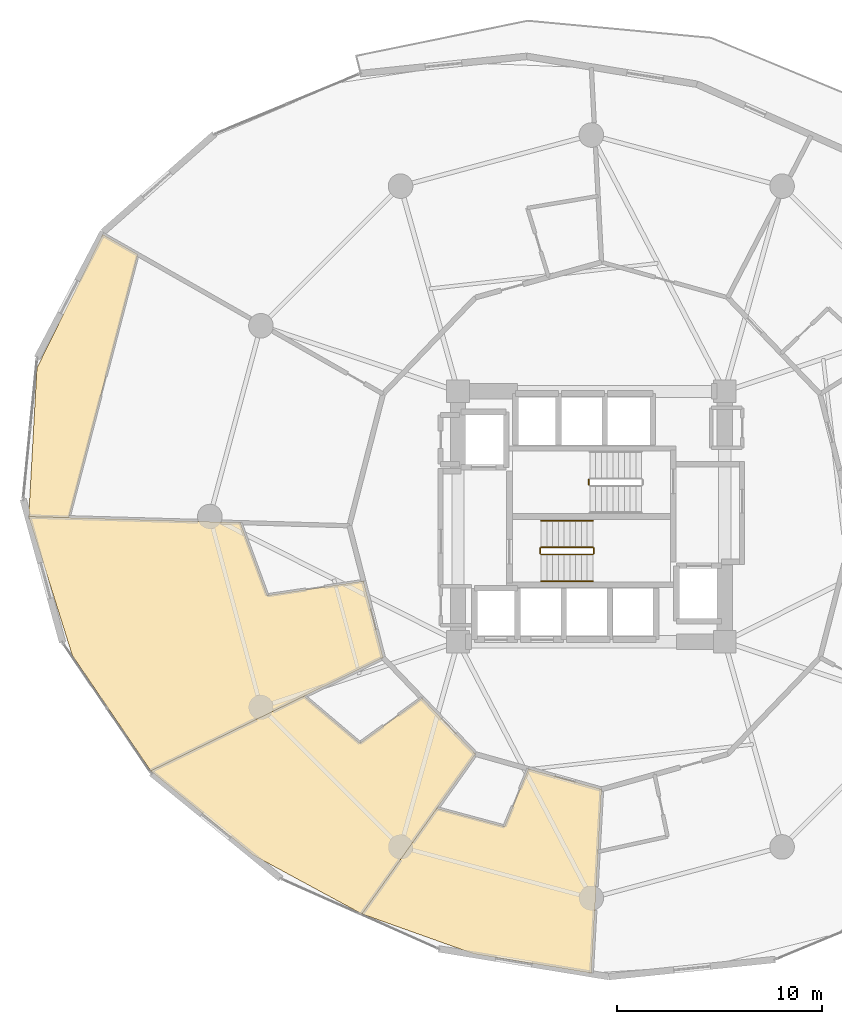
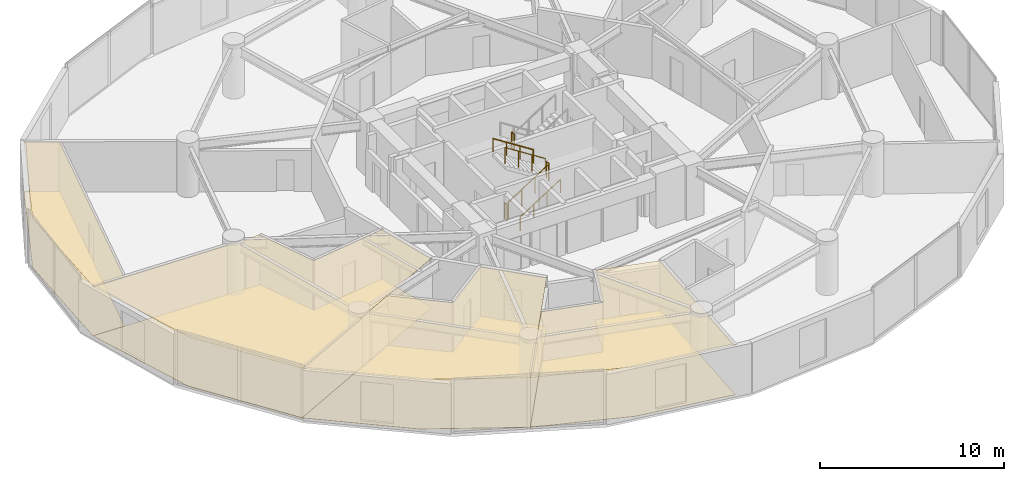
# One storey, part 24 of 26: 8 coverings, 7 railings.
"""IFC4 building model written with IfcOpenShell, lengths in metres."""

from ifc_helpers import new_model, si_unit, direction, frame, origin, origin_2d, place, context, subcontext, project, spatial, polyline, circle, outline, extrude, material, layer, layer_set, type_object, element, save


model = new_model("IFC4")

# Units and contexts
model_context = context("Model", 3, precision=1e-05, world=origin(), true_north=direction((0.0, 1.0)))
body_context = subcontext(model_context, "Body", "Model", "MODEL_VIEW")
ifc_project = project(units=[si_unit("LENGTHUNIT", "METRE"), si_unit("AREAUNIT", "SQUARE_METRE"), si_unit("VOLUMEUNIT", "CUBIC_METRE"), si_unit("PLANEANGLEUNIT", "RADIAN"), si_unit("MASSUNIT", "GRAM", prefix="KILO")], contexts=[model_context])

# Site, building, storey
site_placement = place(None, origin())
site = spatial("IfcSite", under=ifc_project, at=site_placement, CompositionType="ELEMENT")
building_placement = place(site_placement, origin())
building = spatial("IfcBuilding", under=site, at=building_placement, Name="Solvirekh Grand Hotel", CompositionType="ELEMENT")
storey_placement = place(building_placement, frame((0.0, 0.0, 64.39990234375)))
storey = spatial("IfcBuildingStorey", under=building, at=storey_placement, Name="L15", CompositionType="ELEMENT", Elevation=64.39990234375)

# Coverings
ifc_material_1 = material(Name="Acoustic Mineral Ceiling Tile")
ifc_layer_1 = layer(ifc_material_1, 0.02490234375)
ifc_layer_set_1 = layer_set([ifc_layer_1], Name="Acoustic Mineral Ceiling Tile")
covering_type_1 = type_object("IfcCoveringType", Name="Cov_Ceiling_Acoustic", PredefinedType="CEILING", material=ifc_layer_set_1)
covering_1_placement = place(storey_placement, frame((0.0, 0.0, 3.2900390625)))
element("IfcCovering", 1, at=covering_1_placement, inside=storey, type_object=covering_type_1, Name="L15 Diplomatic Suite 1701 Master Bedroom acoustic ceiling", PredefinedType="CEILING", context=body_context, shape_type="SweptSolid", body=[
    extrude(outline(polyline([(-23.821044921875, 13.7529296875), (-27.028076171875, 7.241943359375), (-27.428955078125, 0.0), (-25.47509765625, -0.055908203125), (-22.112060546875, 12.781005859375), (-23.821044921875, 13.7529296875)])), origin(), (0.0, 0.0, 1.0), 0.01806640625),
])
covering_2_placement = place(storey_placement, frame((0.0, 0.0, 3.2900390625)))
element("IfcCovering", 2, at=covering_2_placement, inside=storey, type_object=covering_type_1, Name="L15 Deluxe Guestroom 1702 acoustic ceiling", PredefinedType="CEILING", context=body_context, shape_type="SweptSolid", body=[
    extrude(outline(polyline([(-15.806884765625, -3.847900390625), (-17.114013671875, -0.297119140625), (-27.428955078125, 0.0), (-25.299072265625, -6.779052734375), (-21.47705078125, -12.39990234375), (-10.152099609375, -6.875), (-11.10791015625, -3.14794921875), (-15.806884765625, -3.847900390625)])), origin(), (0.0, 0.0, 1.0), 0.01806640625),
])
covering_3_placement = place(storey_placement, frame((0.0, 0.0, 3.2900390625)))
element("IfcCovering", 3, at=covering_3_placement, inside=storey, type_object=covering_type_1, Name="L15 Deluxe Guestroom 1703 acoustic ceiling", PredefinedType="CEILING", context=body_context, shape_type="SweptSolid", body=[
    extrude(outline(polyline([(-11.284912109375, -11.052978515625), (-14.001953125, -8.75390625), (-21.47705078125, -12.39990234375), (-16.4970703125, -16.4970703125), (-11.18505859375, -19.373046875), (-5.64990234375, -11.577880859375), (-8.260986328125, -8.85009765625), (-11.284912109375, -11.052978515625)])), origin(), (0.0, 0.0, 1.0), 0.01806640625),
])
covering_4_placement = place(storey_placement, frame((0.0, 0.0, 3.2900390625)))
element("IfcCovering", 4, at=covering_4_placement, inside=storey, type_object=covering_type_1, Name="L15 Deluxe Guestroom 1704 acoustic ceiling", PredefinedType="CEILING", context=body_context, shape_type="SweptSolid", body=[
    extrude(outline(polyline([(-4.22998046875, -15.116943359375), (-7.531982421875, -14.22802734375), (-11.18505859375, -19.373046875), (-5.712890625, -21.322998046875), (0.0, -22.257080078125), (0.5, -13.300048828125), (-3.06689453125, -12.301025390625), (-4.22998046875, -15.116943359375)])), origin(), (0.0, 0.0, 1.0), 0.01806640625),
])
ifc_material_2 = material(Name="Porcelain Stoneware Flooring", Category="masonry")
ifc_layer_2 = layer(ifc_material_2, 0.030029296875)
ifc_layer_set_2 = layer_set([ifc_layer_2], Name="Porcelain Stoneware Flooring")
covering_type_2 = type_object("IfcCoveringType", Name="Cov_Floor_Stone", PredefinedType="FLOORING", material=ifc_layer_set_2)
covering_5_placement = place(storey_placement, origin())
element("IfcCovering", 5, at=covering_5_placement, inside=storey, type_object=covering_type_2, Name="L15 Diplomatic Suite 1701 Master Bedroom polished granite flooring", PredefinedType="FLOORING", context=body_context, shape_type="SweptSolid", body=[
    extrude(outline(polyline([(-23.821044921875, 13.7529296875), (-27.028076171875, 7.241943359375), (-27.428955078125, 0.0), (-25.47509765625, -0.055908203125), (-22.112060546875, 12.781005859375), (-23.821044921875, 13.7529296875)])), origin(), (0.0, 0.0, 1.0), 0.02001953125),
])
covering_6_placement = place(storey_placement, origin())
element("IfcCovering", 6, at=covering_6_placement, inside=storey, type_object=covering_type_2, Name="L15 Deluxe Guestroom 1702 polished granite flooring", PredefinedType="FLOORING", context=body_context, shape_type="SweptSolid", body=[
    extrude(outline(polyline([(-15.806884765625, -3.847900390625), (-17.114013671875, -0.297119140625), (-27.428955078125, 0.0), (-25.299072265625, -6.779052734375), (-21.47705078125, -12.39990234375), (-10.152099609375, -6.875), (-11.10791015625, -3.14794921875), (-15.806884765625, -3.847900390625)])), origin(), (0.0, 0.0, 1.0), 0.02001953125),
])
covering_7_placement = place(storey_placement, origin())
element("IfcCovering", 7, at=covering_7_placement, inside=storey, type_object=covering_type_2, Name="L15 Deluxe Guestroom 1703 polished granite flooring", PredefinedType="FLOORING", context=body_context, shape_type="SweptSolid", body=[
    extrude(outline(polyline([(-11.284912109375, -11.052978515625), (-14.001953125, -8.75390625), (-21.47705078125, -12.39990234375), (-16.4970703125, -16.4970703125), (-11.18505859375, -19.373046875), (-5.64990234375, -11.577880859375), (-8.260986328125, -8.85009765625), (-11.284912109375, -11.052978515625)])), origin(), (0.0, 0.0, 1.0), 0.02001953125),
])
covering_8_placement = place(storey_placement, origin())
element("IfcCovering", 8, at=covering_8_placement, inside=storey, type_object=covering_type_2, Name="L15 Deluxe Guestroom 1704 polished granite flooring", PredefinedType="FLOORING", context=body_context, shape_type="SweptSolid", body=[
    extrude(outline(polyline([(-4.22998046875, -15.116943359375), (-7.531982421875, -14.22802734375), (-11.18505859375, -19.373046875), (-5.712890625, -21.322998046875), (0.0, -22.257080078125), (0.5, -13.300048828125), (-3.06689453125, -12.301025390625), (-4.22998046875, -15.116943359375)])), origin(), (0.0, 0.0, 1.0), 0.02001953125),
])

# Railings
ifc_material_3 = material(Name="Steel S355", Category="steel")
railing_type_1 = type_object("IfcRailingType", Name="Guard_Stair_1100", PredefinedType="GUARDRAIL", material=ifc_material_3)
railing_1_placement = place(storey_placement, frame((-2.449951171875, -1.85009765625, 0.18017578125)))
element("IfcRailing", 9, at=railing_1_placement, inside=storey, type_object=railing_type_1, Name="L15 ST-1 stair guard 1", PredefinedType="GUARDRAIL", context=body_context, shape_type="SweptSolid", body=[
    extrude(circle(Radius=0.02392578125, at=origin_2d()), frame((0.0, 0.0, 1.076171875), z_axis=(0.841199657755, 0.0, 0.540724639528), x_axis=(0.0, 1.0, 0.0)), (0.0, 0.0, 1.0), 2.995849609375),
    extrude(circle(Radius=0.02099609375, at=origin_2d()), origin(), (0.0, 0.0, 1.0), 1.052001953125),
    extrude(circle(Radius=0.02099609375, at=origin_2d()), frame((0.840087890625, 0.0, 0.5400390625)), (0.0, 0.0, 1.0), 1.052001953125),
    extrude(circle(Radius=0.02099609375, at=origin_2d()), frame((1.679931640625, 0.0, 1.079833984375)), (0.0, 0.0, 1.0), 1.052001953125),
    extrude(circle(Radius=0.02099609375, at=origin_2d()), frame((2.52001953125, 0.0, 1.619873046875)), (0.0, 0.0, 1.0), 1.052001953125),
])
railing_2_placement = place(storey_placement, frame((0.1201171875, -1.800048828125, 1.800048828125)))
element("IfcRailing", 10, at=railing_2_placement, inside=storey, type_object=railing_type_1, Name="L15 ST-1 stair guard 2", PredefinedType="GUARDRAIL", context=body_context, shape_type="SweptSolid", body=[
    extrude(circle(Radius=0.02392578125, at=origin_2d()), frame((0.0, 0.0, 1.076171875), z_axis=(0.0, 1.0, 0.0), x_axis=(-1.0, 0.0, 0.0)), (0.0, 0.0, 1.0), 0.25),
    extrude(circle(Radius=0.02099609375, at=origin_2d()), origin(), (0.0, 0.0, 1.0), 1.052001953125),
    extrude(circle(Radius=0.02099609375, at=origin_2d()), frame((0.0, 0.25, 0.0)), (0.0, 0.0, 1.0), 1.052001953125),
])
railing_3_placement = place(storey_placement, frame((0.070068359375, -1.5, 1.97998046875)))
element("IfcRailing", 11, at=railing_3_placement, inside=storey, type_object=railing_type_1, Name="L15 ST-1 stair guard 3", PredefinedType="GUARDRAIL", context=body_context, shape_type="SweptSolid", body=[
    extrude(circle(Radius=0.02392578125, at=origin_2d()), frame((0.0, 0.0, 1.076171875), z_axis=(-0.841162588446, 0.0, 0.540782303519), x_axis=(0.0, -1.0, 0.0)), (0.0, 0.0, 1.0), 2.995849609375),
    extrude(circle(Radius=0.02099609375, at=origin_2d()), origin(), (0.0, 0.0, 1.0), 1.052001953125),
    extrude(circle(Radius=0.02099609375, at=origin_2d()), frame((-0.840087890625, 0.0, 0.5400390625)), (0.0, 0.0, 1.0), 1.052001953125),
    extrude(circle(Radius=0.02099609375, at=origin_2d()), frame((-1.679931640625, 0.0, 1.080078125)), (0.0, 0.0, 1.0), 1.052001953125),
    extrude(circle(Radius=0.02099609375, at=origin_2d()), frame((-2.52001953125, 0.0, 1.6201171875)), (0.0, 0.0, 1.0), 1.052001953125),
])
railing_4_placement = place(storey_placement, frame((-2.5, -1.800048828125, 0.0)))
element("IfcRailing", 12, at=railing_4_placement, inside=storey, type_object=railing_type_1, Name="L15 ST-1 stair guard 4", PredefinedType="GUARDRAIL", context=body_context, shape_type="SweptSolid", body=[
    extrude(circle(Radius=0.02392578125, at=origin_2d()), frame((0.0, 0.0, 1.076171875), z_axis=(0.0, 1.0, 0.0), x_axis=(-1.0, 0.0, 0.0)), (0.0, 0.0, 1.0), 0.25),
    extrude(circle(Radius=0.02099609375, at=origin_2d()), origin(), (0.0, 0.0, 1.0), 1.052001953125),
    extrude(circle(Radius=0.02099609375, at=origin_2d()), frame((0.0, 0.25, 0.0)), (0.0, 0.0, 1.0), 1.052001953125),
])
railing_5_placement = place(storey_placement, frame((-0.1201171875, 1.800048828125, 1.800048828125)))
element("IfcRailing", 13, at=railing_5_placement, inside=storey, type_object=railing_type_1, Name="L15 ST-2 stair guard 2", PredefinedType="GUARDRAIL", context=body_context, shape_type="SweptSolid", body=[
    extrude(circle(Radius=0.02392578125, at=origin_2d()), frame((0.0, 0.0, 1.076171875), z_axis=(0.0, -1.0, 0.0), x_axis=(1.0, 0.0, 0.0)), (0.0, 0.0, 1.0), 0.25),
    extrude(circle(Radius=0.02099609375, at=origin_2d()), origin(), (0.0, 0.0, 1.0), 1.052001953125),
    extrude(circle(Radius=0.02099609375, at=origin_2d()), frame((0.0, -0.25, 0.0)), (0.0, 0.0, 1.0), 1.052001953125),
])
ifc_material_4 = material(Name="Anodized Bronze Aluminium 6063-T6", Category="aluminium")
railing_type_2 = type_object("IfcRailingType", Name="Handrail_Wall_900", PredefinedType="HANDRAIL", material=ifc_material_4)
railing_6_placement = place(storey_placement, frame((-2.449951171875, -3.14990234375, 0.18017578125)))
element("IfcRailing", 14, at=railing_6_placement, inside=storey, type_object=railing_type_2, Name="L15 ST-1 stair handrail 1", PredefinedType="HANDRAIL", context=body_context, shape_type="SweptSolid", body=[
    extrude(circle(Radius=0.02392578125, at=origin_2d()), frame((0.0, 0.0, 0.8759765625), z_axis=(0.841199657755, 0.0, 0.540724639528), x_axis=(0.0, 1.0, 0.0)), (0.0, 0.0, 1.0), 2.995849609375),
    extrude(circle(Radius=0.02099609375, at=origin_2d()), origin(), (0.0, 0.0, 1.0), 0.851806640625),
    extrude(circle(Radius=0.02099609375, at=origin_2d()), frame((0.840087890625, 0.0, 0.5400390625)), (0.0, 0.0, 1.0), 0.851806640625),
    extrude(circle(Radius=0.02099609375, at=origin_2d()), frame((1.679931640625, 0.0, 1.079833984375)), (0.0, 0.0, 1.0), 0.851806640625),
    extrude(circle(Radius=0.02099609375, at=origin_2d()), frame((2.52001953125, 0.0, 1.619873046875)), (0.0, 0.0, 1.0), 0.851806640625),
])
railing_7_placement = place(storey_placement, frame((0.070068359375, -0.199951171875, 1.97998046875)))
element("IfcRailing", 15, at=railing_7_placement, inside=storey, type_object=railing_type_2, Name="L15 ST-1 stair handrail 2", PredefinedType="HANDRAIL", context=body_context, shape_type="SweptSolid", body=[
    extrude(circle(Radius=0.02392578125, at=origin_2d()), frame((0.0, 0.0, 0.8759765625), z_axis=(-0.841162588446, 0.0, 0.540782303519), x_axis=(0.0, -1.0, 0.0)), (0.0, 0.0, 1.0), 2.995849609375),
    extrude(circle(Radius=0.02099609375, at=origin_2d()), origin(), (0.0, 0.0, 1.0), 0.851806640625),
    extrude(circle(Radius=0.02099609375, at=origin_2d()), frame((-0.840087890625, 0.0, 0.5400390625)), (0.0, 0.0, 1.0), 0.851806640625),
    extrude(circle(Radius=0.02099609375, at=origin_2d()), frame((-1.679931640625, 0.0, 1.080078125)), (0.0, 0.0, 1.0), 0.851806640625),
    extrude(circle(Radius=0.02099609375, at=origin_2d()), frame((-2.52001953125, 0.0, 1.6201171875)), (0.0, 0.0, 1.0), 0.851806640625),
])

save(model, "model.ifc")
